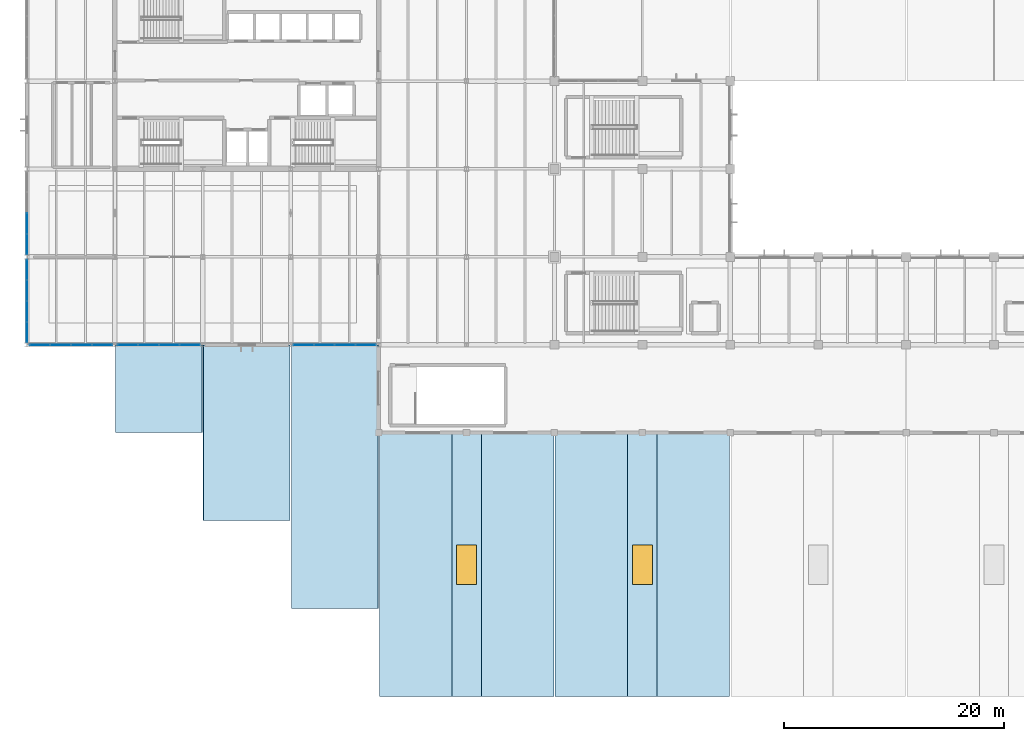
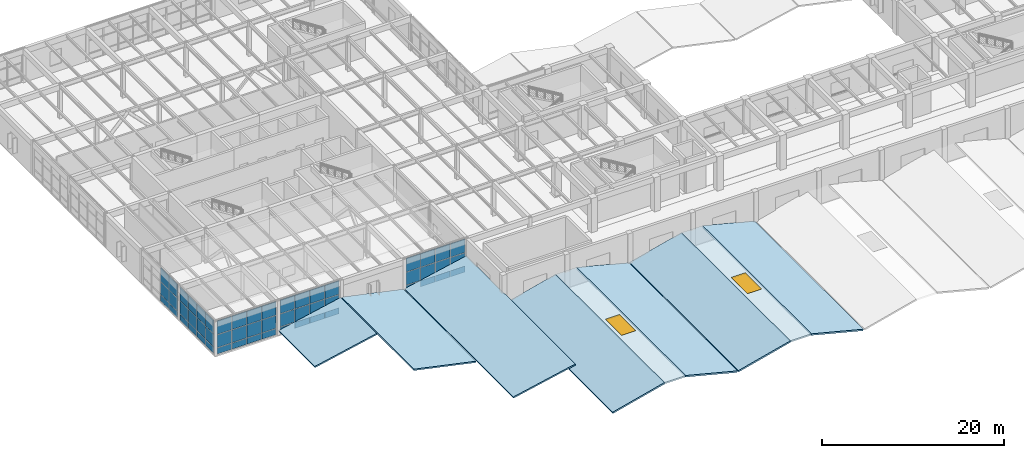
# One storey, part 33 of 60: 54 plates, 9 slabs, 2 windows, 2 openings, 5 elements without a shape of their own.
"""IFC4 building model written with IfcOpenShell, lengths in metres."""

from ifc_helpers import new_model, si_unit, direction, frame, origin, origin_2d, place, context, subcontext, project, spatial, polyline, rectangle, outline, extrude, material, layer, layer_set, type_object, element, fill, aggregate, save


model = new_model("IFC4")

# Units and contexts
model_context = context("Model", 3, precision=1e-05, world=origin(), true_north=direction((0.0, 1.0)))
body_context = subcontext(model_context, "Body", "Model", "MODEL_VIEW")
ifc_project = project(units=[si_unit("LENGTHUNIT", "METRE"), si_unit("AREAUNIT", "SQUARE_METRE"), si_unit("VOLUMEUNIT", "CUBIC_METRE"), si_unit("PLANEANGLEUNIT", "RADIAN"), si_unit("MASSUNIT", "GRAM", prefix="KILO")], contexts=[model_context])

# Site, building, storey
site_placement = place(None, origin())
site = spatial("IfcSite", under=ifc_project, at=site_placement, CompositionType="ELEMENT")
building_placement = place(site_placement, origin())
building = spatial("IfcBuilding", under=site, at=building_placement, Name="Varnela Railside Interchange", CompositionType="ELEMENT")
storey_placement = place(building_placement, frame((0.0, 0.0, 6.300048828125)))
storey = spatial("IfcBuildingStorey", under=building, at=storey_placement, Name="L01", CompositionType="ELEMENT", Elevation=6.300048828125)

# Curtain wall, plates
ifc_material_1 = material(Name="Aluminium 6063-T6", Category="aluminium")
ifc_layer_1 = layer(ifc_material_1, 0.035888671875)
ifc_layer_set_1 = layer_set([ifc_layer_1], Name="Aluminium 6063-T6")
curtain_wall_type = type_object("IfcCurtainWallType", Name="Operations Wing Facade Curtain Wall CW-03", PredefinedType="USERDEFINED", material=ifc_layer_set_1)
curtain_wall_1_placement = place(storey_placement, origin())
curtain_wall_1 = element("IfcCurtainWall", 1, at=curtain_wall_1_placement, inside=storey, type_object=curtain_wall_type, Name="Curtain Wall CW-03 (L01) (CW-019)", ObjectType="CURTAIN WALL", PredefinedType="USERDEFINED")
ifc_material_2 = material(Name="Glass laminated double", Category="glass")
ifc_layer_2 = layer(ifc_material_2, 0.0400390625)
ifc_layer_set_2 = layer_set([ifc_layer_2], Name="Glass laminated double")
plate_type = type_object("IfcPlateType", Name="Acoustic Laminated Vision GL-03", PredefinedType="CURTAIN_PANEL", material=ifc_layer_set_2)
plate_1_placement = place(storey_placement, frame((4.0, 39.16015625, 0.059814453125), z_axis=(0.0, 0.0, 1.0), x_axis=(0.0, 1.0, 0.0)))
plate_1 = element("IfcPlate", 2, at=plate_1_placement, type_object=plate_type, Name="CW-03 panel 1.1", PredefinedType="CURTAIN_PANEL", context=body_context, shape_type="SweptSolid", body=[
    extrude(rectangle(XDim=1.813232421875, YDim=0.0400390625, at=origin_2d()), origin(), (0.0, 0.0, 1.0), 0.81005859375),
])
plate_2_placement = place(storey_placement, frame((4.0, 39.16015625, 0.929931640625), z_axis=(0.0, 0.0, 1.0), x_axis=(0.0, 1.0, 0.0)))
plate_2 = element("IfcPlate", 3, at=plate_2_placement, type_object=plate_type, Name="CW-03 panel 1.2", PredefinedType="CURTAIN_PANEL", context=body_context, shape_type="SweptSolid", body=[
    extrude(rectangle(XDim=1.813232421875, YDim=0.0400390625, at=origin_2d()), origin(), (0.0, 0.0, 1.0), 1.7080078125),
])
plate_3_placement = place(storey_placement, frame((4.0, 39.16015625, 2.69775390625), z_axis=(0.0, 0.0, 1.0), x_axis=(0.0, 1.0, 0.0)))
plate_3 = element("IfcPlate", 4, at=plate_3_placement, type_object=plate_type, Name="CW-03 panel 1.3", PredefinedType="CURTAIN_PANEL", context=body_context, shape_type="SweptSolid", body=[
    extrude(rectangle(XDim=1.813232421875, YDim=0.0400390625, at=origin_2d()), origin(), (0.0, 0.0, 1.0), 1.842041015625),
])
plate_4_placement = place(storey_placement, frame((4.0, 41.04833984375, 0.059814453125), z_axis=(0.0, 0.0, 1.0), x_axis=(0.0, 1.0, 0.0)))
plate_4 = element("IfcPlate", 5, at=plate_4_placement, type_object=plate_type, Name="CW-03 panel 2.1", PredefinedType="CURTAIN_PANEL", context=body_context, shape_type="SweptSolid", body=[
    extrude(rectangle(XDim=1.84326171875, YDim=0.0400390625, at=origin_2d()), origin(), (0.0, 0.0, 1.0), 0.81005859375),
])
plate_5_placement = place(storey_placement, frame((4.0, 41.04833984375, 0.929931640625), z_axis=(0.0, 0.0, 1.0), x_axis=(0.0, 1.0, 0.0)))
plate_5 = element("IfcPlate", 6, at=plate_5_placement, type_object=plate_type, Name="CW-03 panel 2.2", PredefinedType="CURTAIN_PANEL", context=body_context, shape_type="SweptSolid", body=[
    extrude(rectangle(XDim=1.84326171875, YDim=0.0400390625, at=origin_2d()), origin(), (0.0, 0.0, 1.0), 1.7080078125),
])
plate_6_placement = place(storey_placement, frame((4.0, 41.04833984375, 2.69775390625), z_axis=(0.0, 0.0, 1.0), x_axis=(0.0, 1.0, 0.0)))
plate_6 = element("IfcPlate", 7, at=plate_6_placement, type_object=plate_type, Name="CW-03 panel 2.3", PredefinedType="CURTAIN_PANEL", context=body_context, shape_type="SweptSolid", body=[
    extrude(rectangle(XDim=1.84326171875, YDim=0.0400390625, at=origin_2d()), origin(), (0.0, 0.0, 1.0), 1.842041015625),
])
plate_7_placement = place(storey_placement, frame((4.0, 42.95166015625, 0.059814453125), z_axis=(0.0, 0.0, 1.0), x_axis=(0.0, 1.0, 0.0)))
plate_7 = element("IfcPlate", 8, at=plate_7_placement, type_object=plate_type, Name="CW-03 panel 3.1", PredefinedType="CURTAIN_PANEL", context=body_context, shape_type="SweptSolid", body=[
    extrude(rectangle(XDim=1.84326171875, YDim=0.0400390625, at=origin_2d()), origin(), (0.0, 0.0, 1.0), 0.81005859375),
])
plate_8_placement = place(storey_placement, frame((4.0, 42.95166015625, 0.929931640625), z_axis=(0.0, 0.0, 1.0), x_axis=(0.0, 1.0, 0.0)))
plate_8 = element("IfcPlate", 9, at=plate_8_placement, type_object=plate_type, Name="CW-03 panel 3.2", PredefinedType="CURTAIN_PANEL", context=body_context, shape_type="SweptSolid", body=[
    extrude(rectangle(XDim=1.84326171875, YDim=0.0400390625, at=origin_2d()), origin(), (0.0, 0.0, 1.0), 1.7080078125),
])
plate_9_placement = place(storey_placement, frame((4.0, 42.95166015625, 2.69775390625), z_axis=(0.0, 0.0, 1.0), x_axis=(0.0, 1.0, 0.0)))
plate_9 = element("IfcPlate", 10, at=plate_9_placement, type_object=plate_type, Name="CW-03 panel 3.3", PredefinedType="CURTAIN_PANEL", context=body_context, shape_type="SweptSolid", body=[
    extrude(rectangle(XDim=1.84326171875, YDim=0.0400390625, at=origin_2d()), origin(), (0.0, 0.0, 1.0), 1.842041015625),
])
plate_10_placement = place(storey_placement, frame((4.0, 44.83984375, 0.059814453125), z_axis=(0.0, 0.0, 1.0), x_axis=(0.0, 1.0, 0.0)))
plate_10 = element("IfcPlate", 11, at=plate_10_placement, type_object=plate_type, Name="CW-03 panel 4.1", PredefinedType="CURTAIN_PANEL", context=body_context, shape_type="SweptSolid", body=[
    extrude(rectangle(XDim=1.813232421875, YDim=0.0400390625, at=origin_2d()), origin(), (0.0, 0.0, 1.0), 0.81005859375),
])
plate_11_placement = place(storey_placement, frame((4.0, 44.83984375, 0.929931640625), z_axis=(0.0, 0.0, 1.0), x_axis=(0.0, 1.0, 0.0)))
plate_11 = element("IfcPlate", 12, at=plate_11_placement, type_object=plate_type, Name="CW-03 panel 4.2", PredefinedType="CURTAIN_PANEL", context=body_context, shape_type="SweptSolid", body=[
    extrude(rectangle(XDim=1.813232421875, YDim=0.0400390625, at=origin_2d()), origin(), (0.0, 0.0, 1.0), 1.7080078125),
])
plate_12_placement = place(storey_placement, frame((4.0, 44.83984375, 2.69775390625), z_axis=(0.0, 0.0, 1.0), x_axis=(0.0, 1.0, 0.0)))
plate_12 = element("IfcPlate", 13, at=plate_12_placement, type_object=plate_type, Name="CW-03 panel 4.3", PredefinedType="CURTAIN_PANEL", context=body_context, shape_type="SweptSolid", body=[
    extrude(rectangle(XDim=1.813232421875, YDim=0.0400390625, at=origin_2d()), origin(), (0.0, 0.0, 1.0), 1.842041015625),
])
aggregate(curtain_wall_1, [plate_1, plate_2, plate_3, plate_4, plate_5, plate_6, plate_7, plate_8, plate_9, plate_10, plate_11, plate_12])

curtain_wall_2_placement = place(storey_placement, origin())
curtain_wall_2 = element("IfcCurtainWall", 14, at=curtain_wall_2_placement, inside=storey, type_object=curtain_wall_type, Name="Curtain Wall CW-03 (L01) (CW-027)", ObjectType="CURTAIN WALL", PredefinedType="USERDEFINED")
plate_13_placement = place(storey_placement, frame((4.0, 47.16015625, 0.059814453125), z_axis=(0.0, 0.0, 1.0), x_axis=(0.0, 1.0, 0.0)))
plate_13 = element("IfcPlate", 15, at=plate_13_placement, type_object=plate_type, Name="CW-03 panel 1.1", PredefinedType="CURTAIN_PANEL", context=body_context, shape_type="SweptSolid", body=[
    extrude(rectangle(XDim=1.813232421875, YDim=0.0400390625, at=origin_2d()), origin(), (0.0, 0.0, 1.0), 0.81005859375),
])
plate_14_placement = place(storey_placement, frame((4.0, 47.16015625, 0.929931640625), z_axis=(0.0, 0.0, 1.0), x_axis=(0.0, 1.0, 0.0)))
plate_14 = element("IfcPlate", 16, at=plate_14_placement, type_object=plate_type, Name="CW-03 panel 1.2", PredefinedType="CURTAIN_PANEL", context=body_context, shape_type="SweptSolid", body=[
    extrude(rectangle(XDim=1.813232421875, YDim=0.0400390625, at=origin_2d()), origin(), (0.0, 0.0, 1.0), 1.7080078125),
])
plate_15_placement = place(storey_placement, frame((4.0, 47.16015625, 2.69775390625), z_axis=(0.0, 0.0, 1.0), x_axis=(0.0, 1.0, 0.0)))
plate_15 = element("IfcPlate", 17, at=plate_15_placement, type_object=plate_type, Name="CW-03 panel 1.3", PredefinedType="CURTAIN_PANEL", context=body_context, shape_type="SweptSolid", body=[
    extrude(rectangle(XDim=1.813232421875, YDim=0.0400390625, at=origin_2d()), origin(), (0.0, 0.0, 1.0), 1.842041015625),
])
plate_16_placement = place(storey_placement, frame((4.0, 49.04833984375, 0.059814453125), z_axis=(0.0, 0.0, 1.0), x_axis=(0.0, 1.0, 0.0)))
plate_16 = element("IfcPlate", 18, at=plate_16_placement, type_object=plate_type, Name="CW-03 panel 2.1", PredefinedType="CURTAIN_PANEL", context=body_context, shape_type="SweptSolid", body=[
    extrude(rectangle(XDim=1.84326171875, YDim=0.0400390625, at=origin_2d()), origin(), (0.0, 0.0, 1.0), 0.81005859375),
])
plate_17_placement = place(storey_placement, frame((4.0, 49.04833984375, 0.929931640625), z_axis=(0.0, 0.0, 1.0), x_axis=(0.0, 1.0, 0.0)))
plate_17 = element("IfcPlate", 19, at=plate_17_placement, type_object=plate_type, Name="CW-03 panel 2.2", PredefinedType="CURTAIN_PANEL", context=body_context, shape_type="SweptSolid", body=[
    extrude(rectangle(XDim=1.84326171875, YDim=0.0400390625, at=origin_2d()), origin(), (0.0, 0.0, 1.0), 1.7080078125),
])
plate_18_placement = place(storey_placement, frame((4.0, 49.04833984375, 2.69775390625), z_axis=(0.0, 0.0, 1.0), x_axis=(0.0, 1.0, 0.0)))
plate_18 = element("IfcPlate", 20, at=plate_18_placement, type_object=plate_type, Name="CW-03 panel 2.3", PredefinedType="CURTAIN_PANEL", context=body_context, shape_type="SweptSolid", body=[
    extrude(rectangle(XDim=1.84326171875, YDim=0.0400390625, at=origin_2d()), origin(), (0.0, 0.0, 1.0), 1.842041015625),
])
aggregate(curtain_wall_2, [plate_13, plate_14, plate_15, plate_16, plate_17, plate_18])

curtain_wall_3_placement = place(storey_placement, origin())
curtain_wall_3 = element("IfcCurtainWall", 21, at=curtain_wall_3_placement, inside=storey, type_object=curtain_wall_type, Name="Curtain Wall CW-03 (L01) (CW-042)", ObjectType="CURTAIN WALL", PredefinedType="USERDEFINED")
plate_19_placement = place(storey_placement, frame((34.835693359375, 38.0, 0.059814453125), z_axis=(0.0, 0.0, 1.0), x_axis=(-1.0, 0.0, 0.0)))
plate_19 = element("IfcPlate", 22, at=plate_19_placement, type_object=plate_type, Name="CW-03 panel 1.1", PredefinedType="CURTAIN_PANEL", context=body_context, shape_type="SweptSolid", body=[
    extrude(rectangle(XDim=1.810546875, YDim=0.0400390625, at=origin_2d()), origin(), (0.0, 0.0, 1.0), 0.81005859375),
])
plate_20_placement = place(storey_placement, frame((34.835693359375, 38.0, 0.929931640625), z_axis=(0.0, 0.0, 1.0), x_axis=(-1.0, 0.0, 0.0)))
plate_20 = element("IfcPlate", 23, at=plate_20_placement, type_object=plate_type, Name="CW-03 panel 1.2", PredefinedType="CURTAIN_PANEL", context=body_context, shape_type="SweptSolid", body=[
    extrude(rectangle(XDim=1.810546875, YDim=0.0400390625, at=origin_2d()), origin(), (0.0, 0.0, 1.0), 1.7080078125),
])
plate_21_placement = place(storey_placement, frame((34.835693359375, 38.0, 2.69775390625), z_axis=(0.0, 0.0, 1.0), x_axis=(-1.0, 0.0, 0.0)))
plate_21 = element("IfcPlate", 24, at=plate_21_placement, type_object=plate_type, Name="CW-03 panel 1.3", PredefinedType="CURTAIN_PANEL", context=body_context, shape_type="SweptSolid", body=[
    extrude(rectangle(XDim=1.810546875, YDim=0.0400390625, at=origin_2d()), origin(), (0.0, 0.0, 1.0), 1.842041015625),
])
plate_22_placement = place(storey_placement, frame((32.9501953125, 38.0, 0.059814453125), z_axis=(0.0, 0.0, 1.0), x_axis=(-1.0, 0.0, 0.0)))
plate_22 = element("IfcPlate", 25, at=plate_22_placement, type_object=plate_type, Name="CW-03 panel 2.1", PredefinedType="CURTAIN_PANEL", context=body_context, shape_type="SweptSolid", body=[
    extrude(rectangle(XDim=1.840576171875, YDim=0.0400390625, at=origin_2d()), origin(), (0.0, 0.0, 1.0), 0.81005859375),
])
plate_23_placement = place(storey_placement, frame((32.9501953125, 38.0, 0.929931640625), z_axis=(0.0, 0.0, 1.0), x_axis=(-1.0, 0.0, 0.0)))
plate_23 = element("IfcPlate", 26, at=plate_23_placement, type_object=plate_type, Name="CW-03 panel 2.2", PredefinedType="CURTAIN_PANEL", context=body_context, shape_type="SweptSolid", body=[
    extrude(rectangle(XDim=1.840576171875, YDim=0.0400390625, at=origin_2d()), origin(), (0.0, 0.0, 1.0), 1.7080078125),
])
plate_24_placement = place(storey_placement, frame((32.9501953125, 38.0, 2.69775390625), z_axis=(0.0, 0.0, 1.0), x_axis=(-1.0, 0.0, 0.0)))
plate_24 = element("IfcPlate", 27, at=plate_24_placement, type_object=plate_type, Name="CW-03 panel 2.3", PredefinedType="CURTAIN_PANEL", context=body_context, shape_type="SweptSolid", body=[
    extrude(rectangle(XDim=1.840576171875, YDim=0.0400390625, at=origin_2d()), origin(), (0.0, 0.0, 1.0), 1.842041015625),
])
plate_25_placement = place(storey_placement, frame((31.0498046875, 38.0, 0.059814453125), z_axis=(0.0, 0.0, 1.0), x_axis=(-1.0, 0.0, 0.0)))
plate_25 = element("IfcPlate", 28, at=plate_25_placement, type_object=plate_type, Name="CW-03 panel 3.1", PredefinedType="CURTAIN_PANEL", context=body_context, shape_type="SweptSolid", body=[
    extrude(rectangle(XDim=1.840576171875, YDim=0.0400390625, at=origin_2d()), origin(), (0.0, 0.0, 1.0), 0.81005859375),
])
plate_26_placement = place(storey_placement, frame((31.0498046875, 38.0, 0.929931640625), z_axis=(0.0, 0.0, 1.0), x_axis=(-1.0, 0.0, 0.0)))
plate_26 = element("IfcPlate", 29, at=plate_26_placement, type_object=plate_type, Name="CW-03 panel 3.2", PredefinedType="CURTAIN_PANEL", context=body_context, shape_type="SweptSolid", body=[
    extrude(rectangle(XDim=1.840576171875, YDim=0.0400390625, at=origin_2d()), origin(), (0.0, 0.0, 1.0), 1.7080078125),
])
plate_27_placement = place(storey_placement, frame((31.0498046875, 38.0, 2.69775390625), z_axis=(0.0, 0.0, 1.0), x_axis=(-1.0, 0.0, 0.0)))
plate_27 = element("IfcPlate", 30, at=plate_27_placement, type_object=plate_type, Name="CW-03 panel 3.3", PredefinedType="CURTAIN_PANEL", context=body_context, shape_type="SweptSolid", body=[
    extrude(rectangle(XDim=1.840576171875, YDim=0.0400390625, at=origin_2d()), origin(), (0.0, 0.0, 1.0), 1.842041015625),
])
plate_28_placement = place(storey_placement, frame((29.164306640625, 38.0, 0.059814453125), z_axis=(0.0, 0.0, 1.0), x_axis=(-1.0, 0.0, 0.0)))
plate_28 = element("IfcPlate", 31, at=plate_28_placement, type_object=plate_type, Name="CW-03 panel 4.1", PredefinedType="CURTAIN_PANEL", context=body_context, shape_type="SweptSolid", body=[
    extrude(rectangle(XDim=1.810546875, YDim=0.0400390625, at=origin_2d()), origin(), (0.0, 0.0, 1.0), 0.81005859375),
])
plate_29_placement = place(storey_placement, frame((29.164306640625, 38.0, 0.929931640625), z_axis=(0.0, 0.0, 1.0), x_axis=(-1.0, 0.0, 0.0)))
plate_29 = element("IfcPlate", 32, at=plate_29_placement, type_object=plate_type, Name="CW-03 panel 4.2", PredefinedType="CURTAIN_PANEL", context=body_context, shape_type="SweptSolid", body=[
    extrude(rectangle(XDim=1.810546875, YDim=0.0400390625, at=origin_2d()), origin(), (0.0, 0.0, 1.0), 1.7080078125),
])
plate_30_placement = place(storey_placement, frame((29.164306640625, 38.0, 2.69775390625), z_axis=(0.0, 0.0, 1.0), x_axis=(-1.0, 0.0, 0.0)))
plate_30 = element("IfcPlate", 33, at=plate_30_placement, type_object=plate_type, Name="CW-03 panel 4.3", PredefinedType="CURTAIN_PANEL", context=body_context, shape_type="SweptSolid", body=[
    extrude(rectangle(XDim=1.810546875, YDim=0.0400390625, at=origin_2d()), origin(), (0.0, 0.0, 1.0), 1.842041015625),
])
aggregate(curtain_wall_3, [plate_19, plate_20, plate_21, plate_22, plate_23, plate_24, plate_25, plate_26, plate_27, plate_28, plate_29, plate_30])

curtain_wall_4_placement = place(storey_placement, origin())
curtain_wall_4 = element("IfcCurtainWall", 34, at=curtain_wall_4_placement, inside=storey, type_object=curtain_wall_type, Name="Curtain Wall CW-03 (L01) (CW-043)", ObjectType="CURTAIN WALL", PredefinedType="USERDEFINED")
plate_31_placement = place(storey_placement, frame((18.835693359375, 38.0, 0.059814453125), z_axis=(0.0, 0.0, 1.0), x_axis=(-1.0, 0.0, 0.0)))
plate_31 = element("IfcPlate", 35, at=plate_31_placement, type_object=plate_type, Name="CW-03 panel 1.1", PredefinedType="CURTAIN_PANEL", context=body_context, shape_type="SweptSolid", body=[
    extrude(rectangle(XDim=1.810546875, YDim=0.0400390625, at=origin_2d()), origin(), (0.0, 0.0, 1.0), 0.81005859375),
])
plate_32_placement = place(storey_placement, frame((18.835693359375, 38.0, 0.929931640625), z_axis=(0.0, 0.0, 1.0), x_axis=(-1.0, 0.0, 0.0)))
plate_32 = element("IfcPlate", 36, at=plate_32_placement, type_object=plate_type, Name="CW-03 panel 1.2", PredefinedType="CURTAIN_PANEL", context=body_context, shape_type="SweptSolid", body=[
    extrude(rectangle(XDim=1.810546875, YDim=0.0400390625, at=origin_2d()), origin(), (0.0, 0.0, 1.0), 1.7080078125),
])
plate_33_placement = place(storey_placement, frame((18.835693359375, 38.0, 2.69775390625), z_axis=(0.0, 0.0, 1.0), x_axis=(-1.0, 0.0, 0.0)))
plate_33 = element("IfcPlate", 37, at=plate_33_placement, type_object=plate_type, Name="CW-03 panel 1.3", PredefinedType="CURTAIN_PANEL", context=body_context, shape_type="SweptSolid", body=[
    extrude(rectangle(XDim=1.810546875, YDim=0.0400390625, at=origin_2d()), origin(), (0.0, 0.0, 1.0), 1.842041015625),
])
plate_34_placement = place(storey_placement, frame((16.9501953125, 38.0, 0.059814453125), z_axis=(0.0, 0.0, 1.0), x_axis=(-1.0, 0.0, 0.0)))
plate_34 = element("IfcPlate", 38, at=plate_34_placement, type_object=plate_type, Name="CW-03 panel 2.1", PredefinedType="CURTAIN_PANEL", context=body_context, shape_type="SweptSolid", body=[
    extrude(rectangle(XDim=1.840576171875, YDim=0.0400390625, at=origin_2d()), origin(), (0.0, 0.0, 1.0), 0.81005859375),
])
plate_35_placement = place(storey_placement, frame((16.9501953125, 38.0, 0.929931640625), z_axis=(0.0, 0.0, 1.0), x_axis=(-1.0, 0.0, 0.0)))
plate_35 = element("IfcPlate", 39, at=plate_35_placement, type_object=plate_type, Name="CW-03 panel 2.2", PredefinedType="CURTAIN_PANEL", context=body_context, shape_type="SweptSolid", body=[
    extrude(rectangle(XDim=1.840576171875, YDim=0.0400390625, at=origin_2d()), origin(), (0.0, 0.0, 1.0), 1.7080078125),
])
plate_36_placement = place(storey_placement, frame((16.9501953125, 38.0, 2.69775390625), z_axis=(0.0, 0.0, 1.0), x_axis=(-1.0, 0.0, 0.0)))
plate_36 = element("IfcPlate", 40, at=plate_36_placement, type_object=plate_type, Name="CW-03 panel 2.3", PredefinedType="CURTAIN_PANEL", context=body_context, shape_type="SweptSolid", body=[
    extrude(rectangle(XDim=1.840576171875, YDim=0.0400390625, at=origin_2d()), origin(), (0.0, 0.0, 1.0), 1.842041015625),
])
plate_37_placement = place(storey_placement, frame((15.0498046875, 38.0, 0.059814453125), z_axis=(0.0, 0.0, 1.0), x_axis=(-1.0, 0.0, 0.0)))
plate_37 = element("IfcPlate", 41, at=plate_37_placement, type_object=plate_type, Name="CW-03 panel 3.1", PredefinedType="CURTAIN_PANEL", context=body_context, shape_type="SweptSolid", body=[
    extrude(rectangle(XDim=1.840576171875, YDim=0.0400390625, at=origin_2d()), origin(), (0.0, 0.0, 1.0), 0.81005859375),
])
plate_38_placement = place(storey_placement, frame((15.0498046875, 38.0, 0.929931640625), z_axis=(0.0, 0.0, 1.0), x_axis=(-1.0, 0.0, 0.0)))
plate_38 = element("IfcPlate", 42, at=plate_38_placement, type_object=plate_type, Name="CW-03 panel 3.2", PredefinedType="CURTAIN_PANEL", context=body_context, shape_type="SweptSolid", body=[
    extrude(rectangle(XDim=1.840576171875, YDim=0.0400390625, at=origin_2d()), origin(), (0.0, 0.0, 1.0), 1.7080078125),
])
plate_39_placement = place(storey_placement, frame((15.0498046875, 38.0, 2.69775390625), z_axis=(0.0, 0.0, 1.0), x_axis=(-1.0, 0.0, 0.0)))
plate_39 = element("IfcPlate", 43, at=plate_39_placement, type_object=plate_type, Name="CW-03 panel 3.3", PredefinedType="CURTAIN_PANEL", context=body_context, shape_type="SweptSolid", body=[
    extrude(rectangle(XDim=1.840576171875, YDim=0.0400390625, at=origin_2d()), origin(), (0.0, 0.0, 1.0), 1.842041015625),
])
plate_40_placement = place(storey_placement, frame((13.164306640625, 38.0, 0.059814453125), z_axis=(0.0, 0.0, 1.0), x_axis=(-1.0, 0.0, 0.0)))
plate_40 = element("IfcPlate", 44, at=plate_40_placement, type_object=plate_type, Name="CW-03 panel 4.1", PredefinedType="CURTAIN_PANEL", context=body_context, shape_type="SweptSolid", body=[
    extrude(rectangle(XDim=1.810546875, YDim=0.0400390625, at=origin_2d()), origin(), (0.0, 0.0, 1.0), 0.81005859375),
])
plate_41_placement = place(storey_placement, frame((13.164306640625, 38.0, 0.929931640625), z_axis=(0.0, 0.0, 1.0), x_axis=(-1.0, 0.0, 0.0)))
plate_41 = element("IfcPlate", 45, at=plate_41_placement, type_object=plate_type, Name="CW-03 panel 4.2", PredefinedType="CURTAIN_PANEL", context=body_context, shape_type="SweptSolid", body=[
    extrude(rectangle(XDim=1.810546875, YDim=0.0400390625, at=origin_2d()), origin(), (0.0, 0.0, 1.0), 1.7080078125),
])
plate_42_placement = place(storey_placement, frame((13.164306640625, 38.0, 2.69775390625), z_axis=(0.0, 0.0, 1.0), x_axis=(-1.0, 0.0, 0.0)))
plate_42 = element("IfcPlate", 46, at=plate_42_placement, type_object=plate_type, Name="CW-03 panel 4.3", PredefinedType="CURTAIN_PANEL", context=body_context, shape_type="SweptSolid", body=[
    extrude(rectangle(XDim=1.810546875, YDim=0.0400390625, at=origin_2d()), origin(), (0.0, 0.0, 1.0), 1.842041015625),
])
aggregate(curtain_wall_4, [plate_31, plate_32, plate_33, plate_34, plate_35, plate_36, plate_37, plate_38, plate_39, plate_40, plate_41, plate_42])

curtain_wall_5_placement = place(storey_placement, origin())
curtain_wall_5 = element("IfcCurtainWall", 47, at=curtain_wall_5_placement, inside=storey, type_object=curtain_wall_type, Name="Curtain Wall CW-03 (L01) (CW-044)", ObjectType="CURTAIN WALL", PredefinedType="USERDEFINED")
plate_43_placement = place(storey_placement, frame((10.835693359375, 38.0, 0.059814453125), z_axis=(0.0, 0.0, 1.0), x_axis=(-1.0, 0.0, 0.0)))
plate_43 = element("IfcPlate", 48, at=plate_43_placement, type_object=plate_type, Name="CW-03 panel 1.1", PredefinedType="CURTAIN_PANEL", context=body_context, shape_type="SweptSolid", body=[
    extrude(rectangle(XDim=1.810546875, YDim=0.0400390625, at=origin_2d()), origin(), (0.0, 0.0, 1.0), 0.81005859375),
])
plate_44_placement = place(storey_placement, frame((10.835693359375, 38.0, 0.929931640625), z_axis=(0.0, 0.0, 1.0), x_axis=(-1.0, 0.0, 0.0)))
plate_44 = element("IfcPlate", 49, at=plate_44_placement, type_object=plate_type, Name="CW-03 panel 1.2", PredefinedType="CURTAIN_PANEL", context=body_context, shape_type="SweptSolid", body=[
    extrude(rectangle(XDim=1.810546875, YDim=0.0400390625, at=origin_2d()), origin(), (0.0, 0.0, 1.0), 1.7080078125),
])
plate_45_placement = place(storey_placement, frame((10.835693359375, 38.0, 2.69775390625), z_axis=(0.0, 0.0, 1.0), x_axis=(-1.0, 0.0, 0.0)))
plate_45 = element("IfcPlate", 50, at=plate_45_placement, type_object=plate_type, Name="CW-03 panel 1.3", PredefinedType="CURTAIN_PANEL", context=body_context, shape_type="SweptSolid", body=[
    extrude(rectangle(XDim=1.810546875, YDim=0.0400390625, at=origin_2d()), origin(), (0.0, 0.0, 1.0), 1.842041015625),
])
plate_46_placement = place(storey_placement, frame((8.9501953125, 38.0, 0.059814453125), z_axis=(0.0, 0.0, 1.0), x_axis=(-1.0, 0.0, 0.0)))
plate_46 = element("IfcPlate", 51, at=plate_46_placement, type_object=plate_type, Name="CW-03 panel 2.1", PredefinedType="CURTAIN_PANEL", context=body_context, shape_type="SweptSolid", body=[
    extrude(rectangle(XDim=1.840576171875, YDim=0.0400390625, at=origin_2d()), origin(), (0.0, 0.0, 1.0), 0.81005859375),
])
plate_47_placement = place(storey_placement, frame((8.9501953125, 38.0, 0.929931640625), z_axis=(0.0, 0.0, 1.0), x_axis=(-1.0, 0.0, 0.0)))
plate_47 = element("IfcPlate", 52, at=plate_47_placement, type_object=plate_type, Name="CW-03 panel 2.2", PredefinedType="CURTAIN_PANEL", context=body_context, shape_type="SweptSolid", body=[
    extrude(rectangle(XDim=1.840576171875, YDim=0.0400390625, at=origin_2d()), origin(), (0.0, 0.0, 1.0), 1.7080078125),
])
plate_48_placement = place(storey_placement, frame((8.9501953125, 38.0, 2.69775390625), z_axis=(0.0, 0.0, 1.0), x_axis=(-1.0, 0.0, 0.0)))
plate_48 = element("IfcPlate", 53, at=plate_48_placement, type_object=plate_type, Name="CW-03 panel 2.3", PredefinedType="CURTAIN_PANEL", context=body_context, shape_type="SweptSolid", body=[
    extrude(rectangle(XDim=1.840576171875, YDim=0.0400390625, at=origin_2d()), origin(), (0.0, 0.0, 1.0), 1.842041015625),
])
plate_49_placement = place(storey_placement, frame((7.0498046875, 38.0, 0.059814453125), z_axis=(0.0, 0.0, 1.0), x_axis=(-1.0, 0.0, 0.0)))
plate_49 = element("IfcPlate", 54, at=plate_49_placement, type_object=plate_type, Name="CW-03 panel 3.1", PredefinedType="CURTAIN_PANEL", context=body_context, shape_type="SweptSolid", body=[
    extrude(rectangle(XDim=1.840576171875, YDim=0.0400390625, at=origin_2d()), origin(), (0.0, 0.0, 1.0), 0.81005859375),
])
plate_50_placement = place(storey_placement, frame((7.0498046875, 38.0, 0.929931640625), z_axis=(0.0, 0.0, 1.0), x_axis=(-1.0, 0.0, 0.0)))
plate_50 = element("IfcPlate", 55, at=plate_50_placement, type_object=plate_type, Name="CW-03 panel 3.2", PredefinedType="CURTAIN_PANEL", context=body_context, shape_type="SweptSolid", body=[
    extrude(rectangle(XDim=1.840576171875, YDim=0.0400390625, at=origin_2d()), origin(), (0.0, 0.0, 1.0), 1.7080078125),
])
plate_51_placement = place(storey_placement, frame((7.0498046875, 38.0, 2.69775390625), z_axis=(0.0, 0.0, 1.0), x_axis=(-1.0, 0.0, 0.0)))
plate_51 = element("IfcPlate", 56, at=plate_51_placement, type_object=plate_type, Name="CW-03 panel 3.3", PredefinedType="CURTAIN_PANEL", context=body_context, shape_type="SweptSolid", body=[
    extrude(rectangle(XDim=1.840576171875, YDim=0.0400390625, at=origin_2d()), origin(), (0.0, 0.0, 1.0), 1.842041015625),
])
plate_52_placement = place(storey_placement, frame((5.164306640625, 38.0, 0.059814453125), z_axis=(0.0, 0.0, 1.0), x_axis=(-1.0, 0.0, 0.0)))
plate_52 = element("IfcPlate", 57, at=plate_52_placement, type_object=plate_type, Name="CW-03 panel 4.1", PredefinedType="CURTAIN_PANEL", context=body_context, shape_type="SweptSolid", body=[
    extrude(rectangle(XDim=1.810546875, YDim=0.0400390625, at=origin_2d()), origin(), (0.0, 0.0, 1.0), 0.81005859375),
])
plate_53_placement = place(storey_placement, frame((5.164306640625, 38.0, 0.929931640625), z_axis=(0.0, 0.0, 1.0), x_axis=(-1.0, 0.0, 0.0)))
plate_53 = element("IfcPlate", 58, at=plate_53_placement, type_object=plate_type, Name="CW-03 panel 4.2", PredefinedType="CURTAIN_PANEL", context=body_context, shape_type="SweptSolid", body=[
    extrude(rectangle(XDim=1.810546875, YDim=0.0400390625, at=origin_2d()), origin(), (0.0, 0.0, 1.0), 1.7080078125),
])
plate_54_placement = place(storey_placement, frame((5.164306640625, 38.0, 2.69775390625), z_axis=(0.0, 0.0, 1.0), x_axis=(-1.0, 0.0, 0.0)))
plate_54 = element("IfcPlate", 59, at=plate_54_placement, type_object=plate_type, Name="CW-03 panel 4.3", PredefinedType="CURTAIN_PANEL", context=body_context, shape_type="SweptSolid", body=[
    extrude(rectangle(XDim=1.810546875, YDim=0.0400390625, at=origin_2d()), origin(), (0.0, 0.0, 1.0), 1.842041015625),
])
aggregate(curtain_wall_5, [plate_43, plate_44, plate_45, plate_46, plate_47, plate_48, plate_49, plate_50, plate_51, plate_52, plate_53, plate_54])

# Slabs
ifc_material_3 = material(Name="Concrete C40", Category="concrete")
ifc_layer_3 = layer(ifc_material_3, 0.2099609375)
ifc_layer_set_3 = layer_set([ifc_layer_3], Name="Concrete C40")
slab_type_1 = type_object("IfcSlabType", Name="Folded-Plate Bus Canopy Shell CS-01", PredefinedType="ROOF", material=ifc_layer_set_3)
for number, where, z_axis, x_axis, name in (
    (60, (36.06005859375, 6.0, 0.514892578125), (-0.247381813412, 0.0, 0.968918076203), (0.968918076203, 0.0, 0.247381813412), "Folded-Plate Bus Canopy Shell CS-01 (L01) (SL-0098)"),
    (61, (45.340087890625, 6.0, 2.199951171875), (0.247381813412, 0.0, 0.968918076203), (0.968918076203, 0.0, -0.247381813412), "Folded-Plate Bus Canopy Shell CS-01 (L01) (SL-0099)"),
    (62, (52.06005859375, 6.0, 0.514892578125), (-0.247381813412, 0.0, 0.968918076203), (0.968918076203, 0.0, 0.247381813412), "Folded-Plate Bus Canopy Shell CS-01 (L01) (SL-0100)"),
    (63, (61.340087890625, 6.0, 2.199951171875), (0.247381813412, 0.0, 0.968918076203), (0.968918076203, 0.0, -0.247381813412), "Folded-Plate Bus Canopy Shell CS-01 (L01) (SL-0101)"),
):
    element("IfcSlab", number, at=place(storey_placement, frame(where, z_axis=z_axis, x_axis=x_axis)), inside=storey, type_object=slab_type_1, Name=name, PredefinedType="ROOF", context=body_context, shape_type="SweptSolid", body=[
        extrude(outline(polyline([(0.0, 0.0), (6.8115702222085615, 0.0), (6.8115702222085615, 24.0), (0.0, 24.0), (0.0, 0.0)])), origin(), (0.0, 0.0, -1.0), 0.2099609375),
    ])
ifc_layer_4 = layer(ifc_material_3, 0.18994140625)
ifc_layer_set_4 = layer_set([ifc_layer_4], Name="Concrete C40")
slab_type_2 = type_object("IfcSlabType", Name="Folded-Plate Bus End Canopy Shell CS-02", PredefinedType="ROOF", material=ifc_layer_set_4)
slab_1_placement = place(storey_placement, frame((12.06005859375, 30.0, 0.514892578125), z_axis=(-0.209115246691, 0.0, 0.977891002925), x_axis=(0.977891002925, 0.0, 0.209115246691)))
element("IfcSlab", 64, at=slab_1_placement, inside=storey, type_object=slab_type_2, Name="Folded-Plate Bus End Canopy Shell CS-02 (L01) (SL-0095)", PredefinedType="ROOF", context=body_context, shape_type="SweptSolid", body=[
    extrude(outline(polyline([(0.0, 0.0), (8.058037949966707, 0.0), (8.058037949966707, 7.999999999999999), (0.0, 7.999999999999999), (0.0, 0.0)])), origin(), (0.0, 0.0, -1.0), 0.18994140625),
])
slab_2_placement = place(storey_placement, frame((20.06005859375, 22.0, 2.199951171875), z_axis=(0.209115246691, 0.0, 0.977891002925), x_axis=(0.977891002925, 0.0, -0.209115246691)))
element("IfcSlab", 65, at=slab_2_placement, inside=storey, type_object=slab_type_2, Name="Folded-Plate Bus End Canopy Shell CS-02 (L01) (SL-0096)", PredefinedType="ROOF", context=body_context, shape_type="SweptSolid", body=[
    extrude(outline(polyline([(0.0, 0.0), (8.058037949966707, 0.0), (8.058037949966707, 15.999999999999998), (0.0, 15.999999999999998), (0.0, 0.0)])), origin(), (0.0, 0.0, -1.0), 0.18994140625),
])
slab_3_placement = place(storey_placement, frame((28.06005859375, 14.0, 0.514892578125), z_axis=(-0.209115246691, 0.0, 0.977891002925), x_axis=(0.977891002925, 0.0, 0.209115246691)))
element("IfcSlab", 66, at=slab_3_placement, inside=storey, type_object=slab_type_2, Name="Folded-Plate Bus End Canopy Shell CS-02 (L01) (SL-0097)", PredefinedType="ROOF", context=body_context, shape_type="SweptSolid", body=[
    extrude(outline(polyline([(0.0, 0.0), (8.058037949966707, 0.0), (8.058037949966707, 23.999999999999996), (0.0, 23.999999999999996), (0.0, 0.0)])), origin(), (0.0, 0.0, -1.0), 0.18994140625),
])

# Slab, opening, window
ifc_layer_5 = layer(ifc_material_3, 0.219970703125)
ifc_layer_set_5 = layer_set([ifc_layer_5], Name="Concrete C40")
slab_type_3 = type_object("IfcSlabType", Name="Maintenance Hatch Roof Slab SL-RF", PredefinedType="ROOF", material=ifc_layer_set_5)
slab_4_placement = place(storey_placement, frame((0.0, 0.0, 2.0)))
slab_4 = element("IfcSlab", 67, at=slab_4_placement, inside=storey, type_object=slab_type_3, Name="Maintenance Hatch Roof Slab SL-RF (L01) (SL-0084)", PredefinedType="ROOF", context=body_context, shape_type="SweptSolid", body=[
    extrude(outline(polyline([(42.659912109375, 6.0), (45.340087890625, 6.0), (45.340087890625, 30.0), (42.659912109375, 30.0), (42.659912109375, 6.0)]), holes=[polyline([(43.10009765625, 16.199951171875), (44.89990234375, 16.199951171875), (44.89990234375, 19.800048828125), (43.10009765625, 19.800048828125), (43.10009765625, 16.199951171875)])]), origin(), (0.0, 0.0, 1.0), 0.199951171875),
])
opening_1_placement = place(slab_4_placement, frame((44.0, 18.0, -0.010009765625)))
opening_1 = element("IfcOpeningElement", 68, at=opening_1_placement, cuts=slab_4, Name="Opening SK-B1", PredefinedType="OPENING", context=body_context, shape_type="SweptSolid", body=[
    extrude(rectangle(XDim=1.800048828125, YDim=3.60009765625, at=origin_2d()), origin(), (0.0, 0.0, 1.0), 0.219970703125),
])
window_type = type_object("IfcWindowType", Name="Bus Sawtooth Ridge Skylight SK-01", PartitioningType="SINGLE_PANEL", PredefinedType="SKYLIGHT", material=ifc_material_2)
window_1_placement = place(slab_4_placement, frame((44.0, 18.0, 0.14990234375)))
window_1 = element("IfcWindow", 69, at=window_1_placement, inside=storey, type_object=window_type, Name="Skylight SK-B1", OverallHeight=3.60009765625, OverallWidth=1.800048828125, PartitioningType="SINGLE_PANEL", PredefinedType="SKYLIGHT", context=body_context, shape_type="SweptSolid", body=[
    extrude(rectangle(XDim=1.800048828125, YDim=3.60009765625, at=origin_2d()), origin(), (0.0, 0.0, 1.0), 0.050048828125),
])
fill(opening_1, window_1)

slab_5_placement = place(storey_placement, frame((0.0, 0.0, 2.0)))
slab_5 = element("IfcSlab", 70, at=slab_5_placement, inside=storey, type_object=slab_type_3, Name="Maintenance Hatch Roof Slab SL-RF (L01) (SL-0085)", PredefinedType="ROOF", context=body_context, shape_type="SweptSolid", body=[
    extrude(outline(polyline([(58.659912109375, 6.0), (61.340087890625, 6.0), (61.340087890625, 30.0), (58.659912109375, 30.0), (58.659912109375, 6.0)]), holes=[polyline([(59.10009765625, 16.199951171875), (60.89990234375, 16.199951171875), (60.89990234375, 19.800048828125), (59.10009765625, 19.800048828125), (59.10009765625, 16.199951171875)])]), origin(), (0.0, 0.0, 1.0), 0.199951171875),
])
opening_2_placement = place(slab_5_placement, frame((60.0, 18.0, -0.010009765625)))
opening_2 = element("IfcOpeningElement", 71, at=opening_2_placement, cuts=slab_5, Name="Opening SK-B2", PredefinedType="OPENING", context=body_context, shape_type="SweptSolid", body=[
    extrude(rectangle(XDim=1.800048828125, YDim=3.60009765625, at=origin_2d()), origin(), (0.0, 0.0, 1.0), 0.219970703125),
])
window_2_placement = place(slab_5_placement, frame((60.0, 18.0, 0.14990234375)))
window_2 = element("IfcWindow", 72, at=window_2_placement, inside=storey, type_object=window_type, Name="Skylight SK-B2", OverallHeight=3.60009765625, OverallWidth=1.800048828125, PartitioningType="SINGLE_PANEL", PredefinedType="SKYLIGHT", context=body_context, shape_type="SweptSolid", body=[
    extrude(rectangle(XDim=1.800048828125, YDim=3.60009765625, at=origin_2d()), origin(), (0.0, 0.0, 1.0), 0.050048828125),
])
fill(opening_2, window_2)

save(model, "model.ifc")
